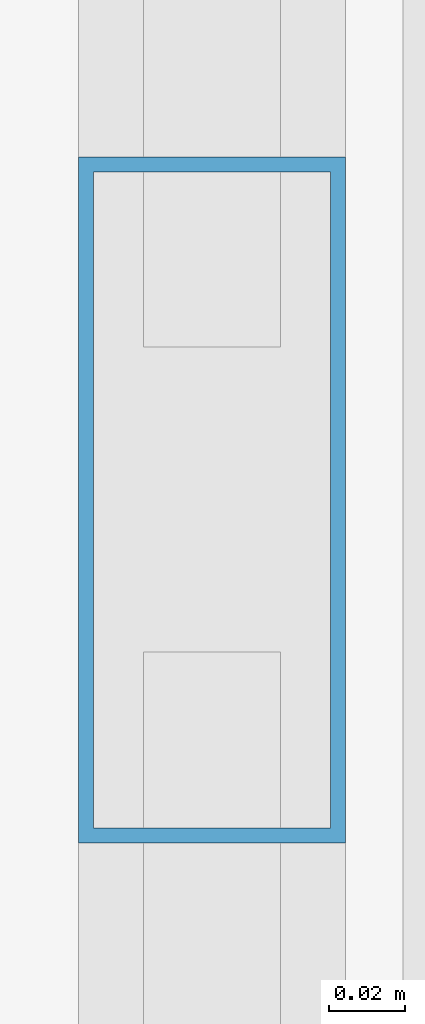
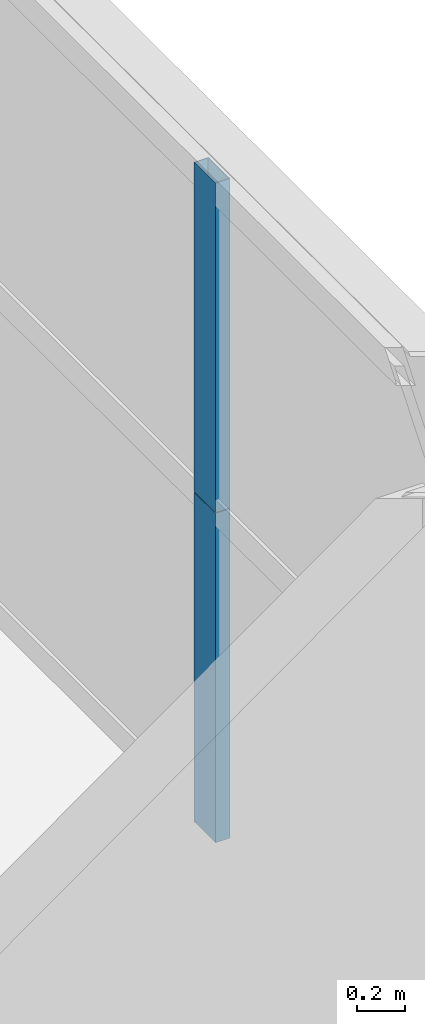
# One storey, part 32 of 43: 2 members, 1 element without a shape of its own.
"""IFC4 building model written with IfcOpenShell, lengths in metres."""

from ifc_helpers import new_model, si_unit, direction, frame, origin, origin_2d, place, context, subcontext, project, spatial, hollow_rectangle, extrude, source, transform, mapped, material, layer, layer_set, material_profile, profile_set, type_object, element, aggregate, save


model = new_model("IFC4")

# Units and contexts
model_context = context("Model", 3, precision=1e-05, world=origin(), true_north=direction((0.0, 1.0)))
body_context = subcontext(model_context, "Body", "Model", "MODEL_VIEW")
ifc_project = project(units=[si_unit("LENGTHUNIT", "METRE"), si_unit("AREAUNIT", "SQUARE_METRE"), si_unit("VOLUMEUNIT", "CUBIC_METRE"), si_unit("PLANEANGLEUNIT", "RADIAN"), si_unit("MASSUNIT", "GRAM", prefix="KILO"), si_unit("THERMODYNAMICTEMPERATUREUNIT", "KELVIN"), si_unit("POWERUNIT", "WATT")], contexts=[model_context])

# Site, building, storey
site_placement = place(None, origin())
site = spatial("IfcSite", under=ifc_project, at=site_placement, CompositionType="ELEMENT")
building_placement = place(site_placement, origin())
building = spatial("IfcBuilding", under=site, at=building_placement, Name="Yuzanri Waterfront Tower", CompositionType="ELEMENT")
storey_placement = place(building_placement, frame((0.0, 0.0, 138.0)))
storey = spatial("IfcBuildingStorey", under=building, at=storey_placement, Name="L36", CompositionType="ELEMENT", Elevation=138.0)

# Curtain wall, members
ifc_material_1 = material(Name="Anodized Architectural Bronze", Category="metal")
ifc_layer = layer(ifc_material_1, 0.159912109375)
ifc_layer_set = layer_set([ifc_layer], Name="Anodized Architectural Bronze")
curtain_wall_type = type_object("IfcCurtainWallType", Name="Anodized Bronze Hotel Upper-Tier Solar-Control Unitized Curtain Wall 7800", PredefinedType="NOTDEFINED", material=ifc_layer_set)
curtain_wall_placement = place(storey_placement, origin())
curtain_wall = element("IfcCurtainWall", 1, at=curtain_wall_placement, inside=storey, type_object=curtain_wall_type, Name="L36 Curtain Wall CW-L36-ER", PredefinedType="NOTDEFINED")
ifc_material_2 = material(Name="Anodized Architectural Bronze", Category="metal")
ifc_material_profile = material_profile(ifc_material_2, hollow_rectangle(XDim=0.070068359375, YDim=0.179931640625, WallThickness=0.00390625, at=origin_2d()), Name="CWM 70x180")
ifc_profile_set = profile_set([ifc_material_profile], Name="Anodized Architectural Bronze")
member_type = type_object("IfcMemberType", Name="Anodized Bronze Standard Curtain-Wall Mullion 70x180", PredefinedType="MULLION", material=ifc_profile_set)
shared_shape = source(origin(), body_context, "Body", "SweptSolid", [
    extrude(hollow_rectangle(XDim=0.070068359375, YDim=0.179931640625, WallThickness=0.00390625, at=origin_2d()), origin(), (0.0, 0.0, 1.0), 1.68798828125),
])
member_1_placement = place(storey_placement, frame((60.449951171875, 34.14990234375, 0.0), z_axis=(0.0, 0.0, 1.0), x_axis=(1.0, 0.0, 0.0)))
member_1 = element("IfcMember", 2, at=member_1_placement, type_object=member_type, Name="CW-L36-ER Lower Mullion 01", PredefinedType="MULLION", context=body_context, shape_type="MappedRepresentation", body=[
    mapped(shared_shape, transform((0.0, 0.0, 0.0), scale=1.0)),
])
member_2_placement = place(storey_placement, frame((60.449951171875, 34.14990234375, 1.69189453125), z_axis=(0.0, 0.0, 1.0), x_axis=(1.0, 0.0, 0.0)))
member_2 = element("IfcMember", 3, at=member_2_placement, type_object=member_type, Name="CW-L36-ER Upper Mullion 01", PredefinedType="MULLION", context=body_context, shape_type="MappedRepresentation", body=[
    mapped(shared_shape, transform((0.0, 0.0, 0.0), scale=1.0)),
])
aggregate(curtain_wall, [member_1, member_2])

save(model, "model.ifc")
